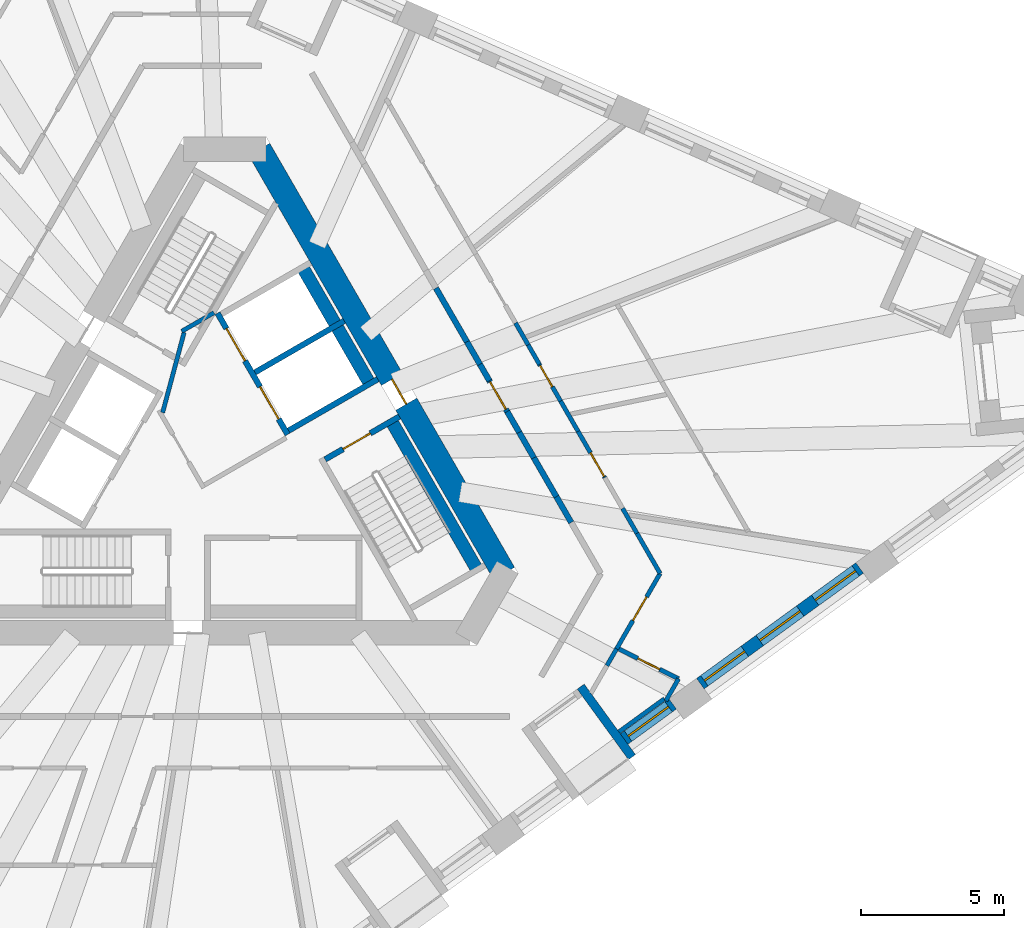
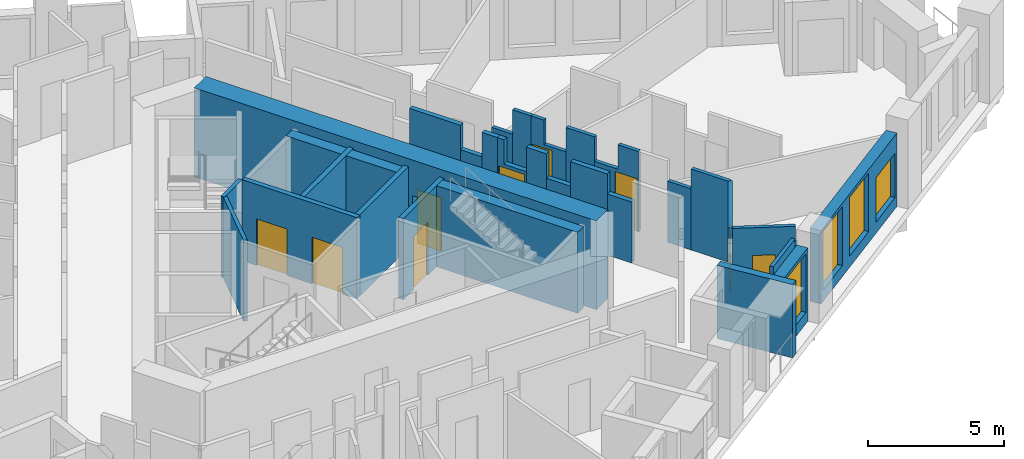
# One storey, part 5 of 14: 32 walls, 9 doors, 4 windows, 13 openings.
"""IFC4 building model written with IfcOpenShell, lengths in metres."""

from ifc_helpers import new_model, si_unit, direction, frame, frame_2d, origin, place, context, subcontext, project, spatial, polyline, rectangle, outline, extrude, material, layer, layer_set, type_object, element, fill, save


model = new_model("IFC4")

# Units and contexts
model_context = context("Model", 3, precision=1e-05, world=origin(), true_north=direction((0.0, 1.0)))
body_context = subcontext(model_context, "Body", "Model", "MODEL_VIEW")
ifc_project = project(units=[si_unit("LENGTHUNIT", "METRE"), si_unit("AREAUNIT", "SQUARE_METRE"), si_unit("VOLUMEUNIT", "CUBIC_METRE"), si_unit("PLANEANGLEUNIT", "RADIAN"), si_unit("MASSUNIT", "GRAM", prefix="KILO")], contexts=[model_context])

# Site, building, storey
site_placement = place(None, origin())
site = spatial("IfcSite", under=ifc_project, at=site_placement, CompositionType="ELEMENT")
building_placement = place(site_placement, origin())
building = spatial("IfcBuilding", under=site, at=building_placement, Name="Tramontana Tower", CompositionType="ELEMENT")
storey_placement = place(building_placement, frame((0.0, 0.0, 170.800048828125)))
storey = spatial("IfcBuildingStorey", under=building, at=storey_placement, Name="L39", CompositionType="ELEMENT", Elevation=170.800048828125)

# Wall, opening, door
ifc_material_1 = material(Name="Concrete 70 MPa", Category="concrete")
ifc_layer_1 = layer(ifc_material_1, 0.85009765625)
ifc_layer_set_1 = layer_set([ifc_layer_1], Name="Core wall 850 70 MPa")
wall_type_1 = type_object("IfcWallType", Name="Core wall 850 70 MPa", PredefinedType="SHEAR", material=ifc_layer_set_1)
wall_1_placement = place(storey_placement, frame((9.757080078125, -4.25, 0.0), z_axis=(0.0, 0.0, 1.0), x_axis=(-0.499995289315, 0.866028123483, 0.0)))
wall_1 = element("IfcWall", 1, at=wall_1_placement, inside=storey, type_object=wall_type_1, Name="Core wall C5 L39", PredefinedType="SHEAR", context=body_context, shape_type="SweptSolid", body=[
    extrude(rectangle(XDim=17.118408203125, YDim=0.85009765625, at=frame_2d((8.55908203125, 0.0))), origin(), (0.0, 0.0, 1.0), 4.0),
])
opening_1_placement = place(wall_1_placement, frame((6.834228515625, 0.0, 0.0)))
opening_1 = element("IfcOpeningElement", 2, at=opening_1_placement, cuts=wall_1, Name="Opening RG3", PredefinedType="OPENING", context=body_context, shape_type="SweptSolid", body=[
    extrude(rectangle(XDim=1.0, YDim=2.39990234375, at=frame_2d((0.5, 1.199951171875))), frame((0.0, 0.43505859375, 0.0), z_axis=(0.0, -1.0, 0.0), x_axis=(1.0, 0.0, 0.0)), (0.0, 0.0, 1.0), 0.8701171875),
])
ifc_material_2 = material(Name="Painted steel", Category="steel")
door_type_1 = type_object("IfcDoorType", Name="RING DOOR 1000", OperationType="SINGLE_SWING_LEFT", PredefinedType="DOOR", material=ifc_material_2)
door_1_placement = place(opening_1_placement, origin())
door_1 = element("IfcDoor", 3, at=door_1_placement, inside=storey, type_object=door_type_1, Name="Door RG3", OperationType="SINGLE_SWING_LEFT", OverallHeight=2.39990234375, OverallWidth=1.0, PredefinedType="DOOR", context=body_context, shape_type="SweptSolid", body=[
    extrude(rectangle(XDim=1.0, YDim=2.39990234375, at=frame_2d((0.5, 1.199951171875))), frame((0.0, 0.02490234375, 0.0), z_axis=(0.0, -1.0, 0.0), x_axis=(1.0, 0.0, 0.0)), (0.0, 0.0, 1.0), 0.050048828125),
])
fill(opening_1, door_1)

# Walls
ifc_material_3 = material(Name="Blockwork", Category="masonry")
ifc_layer_2 = layer(ifc_material_3, 0.199951171875)
ifc_layer_set_2 = layer_set([ifc_layer_2], Name="ENTRY WALL 200")
wall_type_2 = type_object("IfcWallType", Name="ENTRY WALL 200", PredefinedType="SOLIDWALL", material=ifc_layer_set_2)
wall_2_placement = place(storey_placement, frame((7.37548828125, 5.725341796875, 0.0), z_axis=(0.0, 0.0, 1.0), x_axis=(0.499975720793, -0.866039420937, 0.0)))
element("IfcWall", 4, at=wall_2_placement, inside=storey, type_object=wall_type_2, Name="Wall v40-ew0-4", PredefinedType="SOLIDWALL", context=body_context, shape_type="SweptSolid", body=[
    extrude(rectangle(XDim=2.16943359375, YDim=0.199951171875, at=frame_2d((1.084716796875, 0.0))), origin(), (0.0, 0.0, 1.0), 3.64990234375),
])
wall_3_placement = place(storey_placement, frame((8.460205078125, 3.846435546875, 0.0), z_axis=(0.0, 0.0, 1.0), x_axis=(0.499977996243, -0.866038107287, 0.0)))
element("IfcWall", 5, at=wall_3_placement, inside=storey, type_object=wall_type_2, Name="Wall v40-ew0-5", PredefinedType="SOLIDWALL", context=body_context, shape_type="SweptSolid", body=[
    extrude(rectangle(XDim=0.90966796875, YDim=0.199951171875, at=frame_2d((0.454833984375, 0.0))), origin(), (0.0, 0.0, 1.0), 2.550048828125),
])
wall_4_placement = place(storey_placement, frame((8.9150390625, 3.05859375, 0.0), z_axis=(0.0, 0.0, 1.0), x_axis=(0.49988272303, -0.866093103087, 0.0)))
element("IfcWall", 6, at=wall_4_placement, inside=storey, type_object=wall_type_2, Name="Wall v40-ew0-6", PredefinedType="SOLIDWALL", context=body_context, shape_type="SweptSolid", body=[
    extrude(rectangle(XDim=0.659423828125, YDim=0.199951171875, at=frame_2d((0.32958984375, 0.0))), origin(), (0.0, 0.0, 1.0), 3.64990234375),
])

# Wall, opening, door
wall_5_placement = place(storey_placement, frame((9.24462890625, 2.487548828125, 0.0), z_axis=(0.0, 0.0, 1.0), x_axis=(0.500124074208, -0.865953757655, 0.0)))
wall_5 = element("IfcWall", 7, at=wall_5_placement, inside=storey, type_object=wall_type_2, Name="Wall v40-ew0-7", PredefinedType="SOLIDWALL", context=body_context, shape_type="SweptSolid", body=[
    extrude(outline(polyline([(0.0, 0.0), (1.245361328125, 0.0), (1.2451171875, 2.550048828125), (0.291748046875, 2.550048828125), (0.291748046875, 3.64990234375), (0.0, 3.64990234375), (0.0, 0.0)])), frame((0.0, 0.10009765625, 0.0), z_axis=(0.0, -1.0, 0.0), x_axis=(1.0, 0.0, 0.0)), (0.0, 0.0, 1.0), 0.199951171875),
])
opening_2_placement = place(wall_5_placement, frame((0.050048828125, 0.0, 0.0)))
opening_2 = element("IfcOpeningElement", 8, at=opening_2_placement, cuts=wall_5, Name="Opening B4A-24", PredefinedType="OPENING", context=body_context, shape_type="SweptSolid", body=[
    extrude(rectangle(XDim=1.10009765625, YDim=2.39990234375, at=frame_2d((0.550048828125, 1.199951171875))), frame((0.0, 0.10986328125, 0.0), z_axis=(0.0, -1.0, 0.0), x_axis=(1.0, 0.0, 0.0)), (0.0, 0.0, 1.0), 0.219970703125),
])
ifc_material_4 = material(Name="Painted timber", Category="wood")
door_type_2 = type_object("IfcDoorType", Name="DOOR ENTRY 1100", OperationType="SINGLE_SWING_LEFT", PredefinedType="DOOR", material=ifc_material_4)
door_2_placement = place(opening_2_placement, origin())
door_2 = element("IfcDoor", 9, at=door_2_placement, inside=storey, type_object=door_type_2, Name="Door B4A-24", OperationType="SINGLE_SWING_RIGHT", OverallHeight=2.39990234375, OverallWidth=1.10009765625, PredefinedType="DOOR", context=body_context, shape_type="SweptSolid", body=[
    extrude(rectangle(XDim=1.10009765625, YDim=2.39990234375, at=frame_2d((0.550048828125, 1.199951171875))), frame((0.0, 0.02490234375, 0.0), z_axis=(0.0, -1.0, 0.0), x_axis=(1.0, 0.0, 0.0)), (0.0, 0.0, 1.0), 0.050048828125),
])
fill(opening_2, door_2)

# Walls
wall_6_placement = place(storey_placement, frame((9.867431640625, 1.4091796875, 0.0), z_axis=(0.0, 0.0, 1.0), x_axis=(0.499822960955, -0.8661275932, 0.0)))
element("IfcWall", 10, at=wall_6_placement, inside=storey, type_object=wall_type_2, Name="Wall v40-ew0-8", PredefinedType="SOLIDWALL", context=body_context, shape_type="SweptSolid", body=[
    extrude(rectangle(XDim=0.841064453125, YDim=0.199951171875, at=frame_2d((0.42041015625, 0.0))), origin(), (0.0, 0.0, 1.0), 3.64990234375),
])
wall_7_placement = place(storey_placement, frame((10.287841796875, 0.6806640625, 0.0), z_axis=(0.0, 0.0, 1.0), x_axis=(0.500079402778, -0.865979555715, 0.0)))
element("IfcWall", 11, at=wall_7_placement, inside=storey, type_object=wall_type_2, Name="Wall v40-ew0-9", PredefinedType="SOLIDWALL", context=body_context, shape_type="SweptSolid", body=[
    extrude(rectangle(XDim=1.026123046875, YDim=0.199951171875, at=frame_2d((0.51318359375, 0.0))), origin(), (0.0, 0.0, 1.0), 2.550048828125),
])
wall_8_placement = place(storey_placement, frame((10.801025390625, -0.2080078125, 0.0), z_axis=(0.0, 0.0, 1.0), x_axis=(0.500031717574, -0.86600709086, 0.0)))
element("IfcWall", 12, at=wall_8_placement, inside=storey, type_object=wall_type_2, Name="Wall v40-ew0-10", PredefinedType="SOLIDWALL", context=body_context, shape_type="SweptSolid", body=[
    extrude(rectangle(XDim=1.57177734375, YDim=0.199951171875, at=frame_2d((0.785888671875, 0.0))), origin(), (0.0, 0.0, 1.0), 3.64990234375),
])
wall_9_placement = place(storey_placement, frame((11.5869140625, -1.569091796875, 0.0), z_axis=(0.0, 0.0, 1.0), x_axis=(0.500054530113, -0.86599391852, 0.0)))
element("IfcWall", 13, at=wall_9_placement, inside=storey, type_object=wall_type_2, Name="Wall v40-ew0-11", PredefinedType="SOLIDWALL", context=body_context, shape_type="SweptSolid", body=[
    extrude(rectangle(XDim=1.03955078125, YDim=0.199951171875, at=frame_2d((0.519775390625, 0.0))), origin(), (0.0, 0.0, 1.0), 2.75),
])

# Wall, opening, window
ifc_material_5 = material(Name="Precast concrete 60 MPa", Category="concrete")
ifc_layer_3 = layer(ifc_material_5, 0.449951171875)
ifc_layer_set_3 = layer_set([ifc_layer_3], Name="Precast concrete 60 MPa, 450 mm")
wall_type_3 = type_object("IfcWallType", Name="EW1 Stone-faced precast wall 450", PredefinedType="SOLIDWALL", material=ifc_layer_set_3)
wall_10_placement = place(storey_placement, frame((13.955078125, -10.039794921875, 0.0), z_axis=(0.0, 0.0, 1.0), x_axis=(0.809028366311, 0.587769599847, 0.0)))
wall_10 = element("IfcWall", 14, at=wall_10_placement, inside=storey, type_object=wall_type_3, Name="External wall L39 face 1 bay 4", PredefinedType="SOLIDWALL", context=body_context, shape_type="SweptSolid", body=[
    extrude(rectangle(XDim=2.09423828125, YDim=0.449951171875, at=frame_2d((1.047119140625, 0.0))), origin(), (0.0, 0.0, 1.0), 3.300048828125),
])
opening_3_placement = place(wall_10_placement, frame((0.172119140625, 0.0, 0.5)))
opening_3 = element("IfcOpeningElement", 15, at=opening_3_placement, cuts=wall_10, Name="Opening M2", PredefinedType="OPENING", context=body_context, shape_type="SweptSolid", body=[
    extrude(rectangle(XDim=1.75, YDim=2.64990234375, at=frame_2d((0.875, 1.324951171875))), frame((0.0, 0.23486328125, 0.0), z_axis=(0.0, -1.0, 0.0), x_axis=(1.0, 0.0, 0.0)), (0.0, 0.0, 1.0), 0.469970703125),
])
ifc_material_6 = material(Name="Aluminum frame, double glazing unit", Category="aluminium")
window_type_1 = type_object("IfcWindowType", Name="M2 Window 1.75 x 2.65", PartitioningType="SINGLE_PANEL", PredefinedType="WINDOW", material=ifc_material_6)
window_1_placement = place(opening_3_placement, origin())
window_1 = element("IfcWindow", 16, at=window_1_placement, inside=storey, type_object=window_type_1, Name="Window M2 L39 face 1 module 12", OverallHeight=2.64990234375, OverallWidth=1.75, PartitioningType="SINGLE_PANEL", PredefinedType="WINDOW", context=body_context, shape_type="SweptSolid", body=[
    extrude(rectangle(XDim=1.75, YDim=2.64990234375, at=frame_2d((0.875, 1.324951171875))), frame((0.0, 0.030029296875, 0.0), z_axis=(0.0, -1.0, 0.0), x_axis=(1.0, 0.0, 0.0)), (0.0, 0.0, 1.0), 0.06005859375),
])
fill(opening_3, window_1)

# Wall, openings, windows
wall_11_placement = place(storey_placement, frame((16.6201171875, -8.103515625, 0.0), z_axis=(0.0, 0.0, 1.0), x_axis=(0.809016690404, 0.587785670672, 0.0)))
wall_11 = element("IfcWall", 17, at=wall_11_placement, inside=storey, type_object=wall_type_3, Name="External wall L39 face 1 bay 5", PredefinedType="SOLIDWALL", context=body_context, shape_type="SweptSolid", body=[
    extrude(rectangle(XDim=6.8828125, YDim=0.449951171875, at=frame_2d((3.44140625, 0.0))), origin(), (0.0, 0.0, 1.0), 3.300048828125),
])
opening_4_placement = place(wall_11_placement, frame((0.172119140625, 0.0, 0.5)))
opening_4 = element("IfcOpeningElement", 18, at=opening_4_placement, cuts=wall_11, Name="Opening M2", PredefinedType="OPENING", context=body_context, shape_type="SweptSolid", body=[
    extrude(rectangle(XDim=1.75, YDim=2.64990234375, at=frame_2d((0.875, 1.324951171875))), frame((0.0, 0.23486328125, 0.0), z_axis=(0.0, -1.0, 0.0), x_axis=(1.0, 0.0, 0.0)), (0.0, 0.0, 1.0), 0.469970703125),
])
opening_5_placement = place(wall_11_placement, frame((2.56640625, 0.0, 0.5)))
opening_5 = element("IfcOpeningElement", 19, at=opening_5_placement, cuts=wall_11, Name="Opening M2", PredefinedType="OPENING", context=body_context, shape_type="SweptSolid", body=[
    extrude(rectangle(XDim=1.75, YDim=2.64990234375, at=frame_2d((0.875, 1.324951171875))), frame((0.0, 0.23486328125, 0.0), z_axis=(0.0, -1.0, 0.0), x_axis=(1.0, 0.0, 0.0)), (0.0, 0.0, 1.0), 0.469970703125),
])
opening_6_placement = place(wall_11_placement, frame((4.960693359375, 0.0, 0.5)))
opening_6 = element("IfcOpeningElement", 20, at=opening_6_placement, cuts=wall_11, Name="Opening M2L", PredefinedType="OPENING", context=body_context, shape_type="SweptSolid", body=[
    extrude(rectangle(XDim=1.75, YDim=2.0, at=frame_2d((0.875, 1.0))), frame((0.0, 0.23486328125, 0.0), z_axis=(0.0, -1.0, 0.0), x_axis=(1.0, 0.0, 0.0)), (0.0, 0.0, 1.0), 0.469970703125),
])
window_2_placement = place(opening_4_placement, origin())
window_2 = element("IfcWindow", 21, at=window_2_placement, inside=storey, type_object=window_type_1, Name="Window M2 L39 face 1 module 13", OverallHeight=2.64990234375, OverallWidth=1.75, PartitioningType="SINGLE_PANEL", PredefinedType="WINDOW", context=body_context, shape_type="SweptSolid", body=[
    extrude(rectangle(XDim=1.75, YDim=2.64990234375, at=frame_2d((0.875, 1.324951171875))), frame((0.0, 0.030029296875, 0.0), z_axis=(0.0, -1.0, 0.0), x_axis=(1.0, 0.0, 0.0)), (0.0, 0.0, 1.0), 0.06005859375),
])
fill(opening_4, window_2)
window_3_placement = place(opening_5_placement, origin())
window_3 = element("IfcWindow", 22, at=window_3_placement, inside=storey, type_object=window_type_1, Name="Window M2 L39 face 1 module 14", OverallHeight=2.64990234375, OverallWidth=1.75, PartitioningType="SINGLE_PANEL", PredefinedType="WINDOW", context=body_context, shape_type="SweptSolid", body=[
    extrude(rectangle(XDim=1.75, YDim=2.64990234375, at=frame_2d((0.875, 1.324951171875))), frame((0.0, 0.030029296875, 0.0), z_axis=(0.0, -1.0, 0.0), x_axis=(1.0, 0.0, 0.0)), (0.0, 0.0, 1.0), 0.06005859375),
])
fill(opening_5, window_3)
ifc_material_7 = material(Name="Aluminum frame, double glazing unit", Category="aluminium")
window_type_2 = type_object("IfcWindowType", Name="M2L Window 1.75 x 2", PartitioningType="SINGLE_PANEL", PredefinedType="WINDOW", material=ifc_material_7)
window_4_placement = place(opening_6_placement, origin())
window_4 = element("IfcWindow", 23, at=window_4_placement, inside=storey, type_object=window_type_2, Name="Window M2L L39 face 1 module 15", OverallHeight=2.0, OverallWidth=1.75, PartitioningType="SINGLE_PANEL", PredefinedType="WINDOW", context=body_context, shape_type="SweptSolid", body=[
    extrude(rectangle(XDim=1.75, YDim=2.0, at=frame_2d((0.875, 1.0))), frame((0.0, 0.030029296875, 0.0), z_axis=(0.0, -1.0, 0.0), x_axis=(1.0, 0.0, 0.0)), (0.0, 0.0, 1.0), 0.06005859375),
])
fill(opening_6, window_4)

# Walls
ifc_material_8 = material(Name="Precast concrete 60 MPa", Category="concrete")
ifc_layer_4 = layer(ifc_material_8, 0.300048828125)
ifc_layer_set_4 = layer_set([ifc_layer_4], Name="LW1 Stone-faced loggia wall 300")
wall_type_4 = type_object("IfcWallType", Name="LW1 Stone-faced loggia wall 300", PredefinedType="SOLIDWALL", material=ifc_layer_set_4)
wall_12_placement = place(storey_placement, frame((14.23046875, -10.674072265625, 0.0), z_axis=(0.0, 0.0, 1.0), x_axis=(-0.587776590479, 0.80902328748, 0.0)))
element("IfcWall", 24, at=wall_12_placement, inside=storey, type_object=wall_type_4, Name="Loggia return L39 G4S1.10b", PredefinedType="SOLIDWALL", context=body_context, shape_type="SweptSolid", body=[
    extrude(rectangle(XDim=3.050048828125, YDim=0.300048828125, at=frame_2d((1.52490234375, 0.0))), origin(), (0.0, 0.0, 1.0), 3.300048828125),
])
ifc_material_9 = material(Name="Gypsum board partition")
ifc_layer_5 = layer(ifc_material_9, 0.14990234375)
ifc_layer_set_5 = layer_set([ifc_layer_5], Name="PARTITION 150")
wall_type_5 = type_object("IfcWallType", Name="PARTITION 150", PredefinedType="PARTITIONING", material=ifc_layer_set_5)
wall_13_placement = place(storey_placement, frame((-2.177978515625, 1.372314453125, 0.0), z_axis=(0.0, 0.0, 1.0), x_axis=(0.258808958833, 0.96592852884, 0.0)))
element("IfcWall", 25, at=wall_13_placement, inside=storey, type_object=wall_type_5, Name="Wall ff-diag", PredefinedType="PARTITIONING", context=body_context, shape_type="SweptSolid", body=[
    extrude(rectangle(XDim=2.902587890625, YDim=0.14990234375, at=frame_2d((1.451171875, 0.0))), origin(), (0.0, 0.0, 1.0), 3.64990234375),
])
wall_14_placement = place(storey_placement, frame((-1.509765625, 4.21484375, 0.0), z_axis=(0.0, 0.0, 1.0), x_axis=(0.866085525409, 0.49989585183, 0.0)))
element("IfcWall", 26, at=wall_14_placement, inside=storey, type_object=wall_type_5, Name="Wall ff-end1", PredefinedType="PARTITIONING", context=body_context, shape_type="SweptSolid", body=[
    extrude(rectangle(XDim=1.300048828125, YDim=0.14990234375, at=frame_2d((0.64990234375, 0.0))), origin(), (0.0, 0.0, 1.0), 3.64990234375),
])
wall_15_placement = place(storey_placement, frame((10.1572265625, 4.50732421875, 0.0), z_axis=(0.0, 0.0, 1.0), x_axis=(0.499969398072, -0.866043071095, 0.0)))
element("IfcWall", 27, at=wall_15_placement, inside=storey, type_object=wall_type_5, Name="Wall v40-pw24-4", PredefinedType="PARTITIONING", context=body_context, shape_type="SweptSolid", body=[
    extrude(rectangle(XDim=0.88427734375, YDim=0.14990234375, at=frame_2d((0.442138671875, 0.0))), origin(), (0.0, 0.0, 1.0), 2.550048828125),
])
wall_16_placement = place(storey_placement, frame((10.599365234375, 3.741455078125, 0.0), z_axis=(0.0, 0.0, 1.0), x_axis=(0.499865263774, -0.866103179807, 0.0)))
element("IfcWall", 28, at=wall_16_placement, inside=storey, type_object=wall_type_5, Name="Wall v40-pw24-5", PredefinedType="PARTITIONING", context=body_context, shape_type="SweptSolid", body=[
    extrude(rectangle(XDim=0.789306640625, YDim=0.14990234375, at=frame_2d((0.39453125, 0.0))), origin(), (0.0, 0.0, 1.0), 3.64990234375),
])

# Wall, opening, door
wall_17_placement = place(storey_placement, frame((10.993896484375, 3.057861328125, 0.0), z_axis=(0.0, 0.0, 1.0), x_axis=(0.500022136814, -0.866012622712, 0.0)))
wall_17 = element("IfcWall", 29, at=wall_17_placement, inside=storey, type_object=wall_type_5, Name="Wall v40-pw24-6", PredefinedType="PARTITIONING", context=body_context, shape_type="SweptSolid", body=[
    extrude(outline(polyline([(0.0, 0.0), (1.48095703125, 0.0), (1.48095703125, 2.550048828125), (0.553955078125, 2.550048828125), (0.553955078125, 3.64990234375), (0.0, 3.64990234375), (0.0, 0.0)])), frame((0.0, 0.074951171875, 0.0), z_axis=(0.0, -1.0, 0.0), x_axis=(1.0, 0.0, 0.0)), (0.0, 0.0, 1.0), 0.14990234375),
])
opening_7_placement = place(wall_17_placement, frame((0.050048828125, 0.0, 0.0)))
opening_7 = element("IfcOpeningElement", 30, at=opening_7_placement, cuts=wall_17, Name="Opening B4A-16", PredefinedType="OPENING", context=body_context, shape_type="SweptSolid", body=[
    extrude(rectangle(XDim=0.85009765625, YDim=2.39990234375, at=frame_2d((0.425048828125, 1.199951171875))), frame((0.0, 0.0849609375, 0.0), z_axis=(0.0, -1.0, 0.0), x_axis=(1.0, 0.0, 0.0)), (0.0, 0.0, 1.0), 0.169921875),
])
ifc_material_10 = material(Name="Painted timber", Category="wood")
door_type_3 = type_object("IfcDoorType", Name="DOOR BATH 850", OperationType="SINGLE_SWING_LEFT", PredefinedType="DOOR", material=ifc_material_10)
door_3_placement = place(opening_7_placement, origin())
door_3 = element("IfcDoor", 31, at=door_3_placement, inside=storey, type_object=door_type_3, Name="Door B4A-16", OperationType="SINGLE_SWING_RIGHT", OverallHeight=2.39990234375, OverallWidth=0.85009765625, PredefinedType="DOOR", context=body_context, shape_type="SweptSolid", body=[
    extrude(rectangle(XDim=0.85009765625, YDim=2.39990234375, at=frame_2d((0.425048828125, 1.199951171875))), frame((0.0, 0.02490234375, 0.0), z_axis=(0.0, -1.0, 0.0), x_axis=(1.0, 0.0, 0.0)), (0.0, 0.0, 1.0), 0.050048828125),
])
fill(opening_7, door_3)

# Wall
wall_18_placement = place(storey_placement, frame((11.734375, 1.775390625, 0.0), z_axis=(0.0, 0.0, 1.0), x_axis=(0.499975448907, -0.8660395779, 0.0)))
element("IfcWall", 32, at=wall_18_placement, inside=storey, type_object=wall_type_5, Name="Wall v40-pw24-7", PredefinedType="PARTITIONING", context=body_context, shape_type="SweptSolid", body=[
    extrude(rectangle(XDim=1.22509765625, YDim=0.14990234375, at=frame_2d((0.612548828125, 0.0))), origin(), (0.0, 0.0, 1.0), 3.64990234375),
])

# Wall, opening, door
wall_19_placement = place(storey_placement, frame((12.346923828125, 0.71435546875, 0.0), z_axis=(0.0, 0.0, 1.0), x_axis=(0.499998297855, -0.866026386516, 0.0)))
wall_19 = element("IfcWall", 33, at=wall_19_placement, inside=storey, type_object=wall_type_5, Name="Wall v40-pw24-8", PredefinedType="PARTITIONING", context=body_context, shape_type="SweptSolid", body=[
    extrude(outline(polyline([(0.0, 0.0), (1.8642578125, 0.0), (1.864501953125, 3.64990234375), (0.997802734375, 3.64990234375), (0.997802734375, 2.550048828125), (0.0, 2.550048828125), (0.0, 0.0)])), frame((0.0, 0.074951171875, 0.0), z_axis=(0.0, -1.0, 0.0), x_axis=(1.0, 0.0, 0.0)), (0.0, 0.0, 1.0), 0.14990234375),
])
opening_8_placement = place(wall_19_placement, frame((0.864501953125, 0.0, 0.0)))
opening_8 = element("IfcOpeningElement", 34, at=opening_8_placement, cuts=wall_19, Name="Opening B4A-15", PredefinedType="OPENING", context=body_context, shape_type="SweptSolid", body=[
    extrude(rectangle(XDim=0.949951171875, YDim=2.39990234375, at=frame_2d((0.47509765625, 1.199951171875))), frame((0.0, 0.0849609375, 0.0), z_axis=(0.0, -1.0, 0.0), x_axis=(1.0, 0.0, 0.0)), (0.0, 0.0, 1.0), 0.169921875),
])
ifc_material_11 = material(Name="Painted timber", Category="wood")
door_type_4 = type_object("IfcDoorType", Name="DOOR ROOM 950", OperationType="SINGLE_SWING_LEFT", PredefinedType="DOOR", material=ifc_material_11)
door_4_placement = place(opening_8_placement, origin())
door_4 = element("IfcDoor", 35, at=door_4_placement, inside=storey, type_object=door_type_4, Name="Door B4A-15", OperationType="SINGLE_SWING_LEFT", OverallHeight=2.39990234375, OverallWidth=0.949951171875, PredefinedType="DOOR", context=body_context, shape_type="SweptSolid", body=[
    extrude(rectangle(XDim=0.949951171875, YDim=2.39990234375, at=frame_2d((0.47509765625, 1.199951171875))), frame((0.0, 0.02490234375, 0.0), z_axis=(0.0, -1.0, 0.0), x_axis=(1.0, 0.0, 0.0)), (0.0, 0.0, 1.0), 0.050048828125),
])
fill(opening_8, door_4)

# Walls
wall_20_placement = place(storey_placement, frame((13.900390625, -1.97607421875, 0.0), z_axis=(0.0, 0.0, 1.0), x_axis=(0.499946326053, -0.866056390234, 0.0)))
element("IfcWall", 36, at=wall_20_placement, inside=storey, type_object=wall_type_5, Name="Wall v40-pw24-10", PredefinedType="PARTITIONING", context=body_context, shape_type="SweptSolid", body=[
    extrude(rectangle(XDim=1.0068359375, YDim=0.14990234375, at=frame_2d((0.50341796875, 0.0))), origin(), (0.0, 0.0, 1.0), 2.75),
])
wall_21_placement = place(storey_placement, frame((14.40380859375, -2.84814453125, 0.0), z_axis=(0.0, 0.0, 1.0), x_axis=(0.499983569942, -0.866034889475, 0.0)))
element("IfcWall", 37, at=wall_21_placement, inside=storey, type_object=wall_type_5, Name="Wall v40-pw24-11", PredefinedType="PARTITIONING", context=body_context, shape_type="SweptSolid", body=[
    extrude(rectangle(XDim=1.61865234375, YDim=0.14990234375, at=frame_2d((0.809326171875, 0.0))), origin(), (0.0, 0.0, 1.0), 3.64990234375),
])

# Wall, opening, door
wall_22_placement = place(storey_placement, frame((15.85791015625, -7.93310546875, 0.0), z_axis=(0.0, 0.0, 1.0), x_axis=(-0.894343317487, 0.447381303215, 0.0)))
wall_22 = element("IfcWall", 38, at=wall_22_placement, inside=storey, type_object=wall_type_5, Name="Wall v40-pw32", PredefinedType="PARTITIONING", context=body_context, shape_type="SweptSolid", body=[
    extrude(rectangle(XDim=2.3291015625, YDim=0.14990234375, at=frame_2d((1.16455078125, 0.0))), origin(), (0.0, 0.0, 1.0), 3.64990234375),
])
opening_9_placement = place(wall_22_placement, frame((0.739501953125, 0.0, 0.0)))
opening_9 = element("IfcOpeningElement", 39, at=opening_9_placement, cuts=wall_22, Name="Opening B4A-20", PredefinedType="OPENING", context=body_context, shape_type="SweptSolid", body=[
    extrude(rectangle(XDim=0.85009765625, YDim=2.39990234375, at=frame_2d((0.425048828125, 1.199951171875))), frame((0.0, 0.0849609375, 0.0), z_axis=(0.0, -1.0, 0.0), x_axis=(1.0, 0.0, 0.0)), (0.0, 0.0, 1.0), 0.169921875),
])
door_5_placement = place(opening_9_placement, origin())
door_5 = element("IfcDoor", 40, at=door_5_placement, inside=storey, type_object=door_type_3, Name="Door B4A-20", OperationType="SINGLE_SWING_RIGHT", OverallHeight=2.39990234375, OverallWidth=0.85009765625, PredefinedType="DOOR", context=body_context, shape_type="SweptSolid", body=[
    extrude(rectangle(XDim=0.85009765625, YDim=2.39990234375, at=frame_2d((0.425048828125, 1.199951171875))), frame((0.0, 0.02490234375, 0.0), z_axis=(0.0, -1.0, 0.0), x_axis=(1.0, 0.0, 0.0)), (0.0, 0.0, 1.0), 0.050048828125),
])
fill(opening_9, door_5)

wall_23_placement = place(storey_placement, frame((15.213134765625, -4.25, 0.0), z_axis=(0.0, 0.0, 1.0), x_axis=(-0.500018497585, -0.866014723935, 0.0)))
wall_23 = element("IfcWall", 41, at=wall_23_placement, inside=storey, type_object=wall_type_5, Name="Wall v40-pw33-0", PredefinedType="PARTITIONING", context=body_context, shape_type="SweptSolid", body=[
    extrude(rectangle(XDim=3.0458984375, YDim=0.14990234375, at=frame_2d((1.52294921875, 0.0))), origin(), (0.0, 0.0, 1.0), 3.64990234375),
])
opening_10_placement = place(wall_23_placement, frame((0.9501953125, 0.0, 0.0)))
opening_10 = element("IfcOpeningElement", 42, at=opening_10_placement, cuts=wall_23, Name="Opening B4A-17", PredefinedType="OPENING", context=body_context, shape_type="SweptSolid", body=[
    extrude(rectangle(XDim=0.949951171875, YDim=2.39990234375, at=frame_2d((0.47509765625, 1.199951171875))), frame((0.0, 0.0849609375, 0.0), z_axis=(0.0, -1.0, 0.0), x_axis=(1.0, 0.0, 0.0)), (0.0, 0.0, 1.0), 0.169921875),
])
door_6_placement = place(opening_10_placement, origin())
door_6 = element("IfcDoor", 43, at=door_6_placement, inside=storey, type_object=door_type_4, Name="Door B4A-17", OperationType="SINGLE_SWING_LEFT", OverallHeight=2.39990234375, OverallWidth=0.949951171875, PredefinedType="DOOR", context=body_context, shape_type="SweptSolid", body=[
    extrude(rectangle(XDim=0.949951171875, YDim=2.39990234375, at=frame_2d((0.47509765625, 1.199951171875))), frame((0.0, 0.02490234375, 0.0), z_axis=(0.0, -1.0, 0.0), x_axis=(1.0, 0.0, 0.0)), (0.0, 0.0, 1.0), 0.050048828125),
])
fill(opening_10, door_6)

# Walls
wall_24_placement = place(storey_placement, frame((13.690185546875, -6.8876953125, 0.0), z_axis=(0.0, 0.0, 1.0), x_axis=(-0.499910196476, -0.866077245666, 0.0)))
element("IfcWall", 44, at=wall_24_placement, inside=storey, type_object=wall_type_5, Name="Wall v40-pw33-1", PredefinedType="PARTITIONING", context=body_context, shape_type="SweptSolid", body=[
    extrude(rectangle(XDim=0.67529296875, YDim=0.14990234375, at=frame_2d((0.337646484375, 0.0))), origin(), (0.0, 0.0, 1.0), 2.949951171875),
])
wall_25_placement = place(storey_placement, frame((15.364501953125, -8.6328125, 0.0), z_axis=(0.0, 0.0, 1.0), x_axis=(-0.809036512602, -0.58775838682, 0.0)))
element("IfcWall", 45, at=wall_25_placement, inside=storey, type_object=wall_type_5, Name="Wall v40-pw34", PredefinedType="PARTITIONING", context=body_context, shape_type="SweptSolid", body=[
    extrude(rectangle(XDim=1.96728515625, YDim=0.14990234375, at=frame_2d((0.983642578125, 0.0))), origin(), (0.0, 0.0, 1.0), 3.64990234375),
])
wall_26_placement = place(storey_placement, frame((15.85791015625, -7.93310546875, 0.0), z_axis=(0.0, 0.0, 1.0), x_axis=(-0.500016243463, -0.866016025414, 0.0)))
element("IfcWall", 46, at=wall_26_placement, inside=storey, type_object=wall_type_5, Name="Wall v40-pw35-0", PredefinedType="PARTITIONING", context=body_context, shape_type="SweptSolid", body=[
    extrude(rectangle(XDim=0.88720703125, YDim=0.14990234375, at=frame_2d((0.443603515625, 0.0))), origin(), (0.0, 0.0, 1.0), 2.949951171875),
])
ifc_material_12 = material(Name="Concrete 70 MPa", Category="concrete")
ifc_layer_6 = layer(ifc_material_12, 0.449951171875)
ifc_layer_set_6 = layer_set([ifc_layer_6], Name="Concrete 70 MPa, 450 mm")
wall_type_6 = type_object("IfcWallType", Name="RC SHAFT BACK WALL 450", PredefinedType="SOLIDWALL", material=ifc_layer_set_6)
wall_27_placement = place(storey_placement, frame((8.8681640625, -4.2099609375, 0.0), z_axis=(0.0, 0.0, 1.0), x_axis=(-0.500009909098, 0.866019682689, 0.0)))
element("IfcWall", 47, at=wall_27_placement, inside=storey, type_object=wall_type_6, Name="Wall st3-back", PredefinedType="SOLIDWALL", context=body_context, shape_type="SweptSolid", body=[
    extrude(rectangle(XDim=6.199951171875, YDim=0.449951171875, at=frame_2d((3.10009765625, 0.0))), origin(), (0.0, 0.0, 1.0), 3.64990234375),
])
wall_28_placement = place(storey_placement, frame((5.113037109375, 2.2939453125, 0.0), z_axis=(0.0, 0.0, 1.0), x_axis=(-0.500002801628, 0.866023786258, 0.0)))
element("IfcWall", 48, at=wall_28_placement, inside=storey, type_object=wall_type_6, Name="Wall row2-back", PredefinedType="SOLIDWALL", context=body_context, shape_type="SweptSolid", body=[
    extrude(rectangle(XDim=4.89990234375, YDim=0.449951171875, at=frame_2d((2.449951171875, 0.0))), origin(), (0.0, 0.0, 1.0), 3.64990234375),
])

# Wall, opening, door
ifc_material_13 = material(Name="Concrete 70 MPa", Category="concrete")
ifc_layer_7 = layer(ifc_material_13, 0.199951171875)
ifc_layer_set_7 = layer_set([ifc_layer_7], Name="Concrete 70 MPa, 200 mm")
wall_type_7 = type_object("IfcWallType", Name="RC STAIR AND SHAFT WALL 200", PredefinedType="SOLIDWALL", material=ifc_layer_set_7)
wall_29_placement = place(storey_placement, frame((3.50146484375, -0.2646484375, 0.0), z_axis=(0.0, 0.0, 1.0), x_axis=(0.866031096941, 0.499990139034, 0.0)))
wall_29 = element("IfcWall", 49, at=wall_29_placement, inside=storey, type_object=wall_type_7, Name="Wall st3-near", PredefinedType="SOLIDWALL", context=body_context, shape_type="SweptSolid", body=[
    extrude(rectangle(XDim=3.0, YDim=0.199951171875, at=frame_2d((1.5, 0.0))), origin(), (0.0, 0.0, 1.0), 3.64990234375),
])
opening_11_placement = place(wall_29_placement, frame((0.72509765625, 0.0, 0.0)))
opening_11 = element("IfcOpeningElement", 50, at=opening_11_placement, cuts=wall_29, Name="Opening SD3", PredefinedType="OPENING", context=body_context, shape_type="SweptSolid", body=[
    extrude(rectangle(XDim=1.10009765625, YDim=2.39990234375, at=frame_2d((0.550048828125, 1.199951171875))), frame((0.0, 0.10986328125, 0.0), z_axis=(0.0, -1.0, 0.0), x_axis=(1.0, 0.0, 0.0)), (0.0, 0.0, 1.0), 0.219970703125),
])
ifc_material_14 = material(Name="Painted steel", Category="steel")
door_type_5 = type_object("IfcDoorType", Name="STAIR DOOR 1100", OperationType="SINGLE_SWING_LEFT", PredefinedType="DOOR", material=ifc_material_14)
door_7_placement = place(opening_11_placement, origin())
door_7 = element("IfcDoor", 51, at=door_7_placement, inside=storey, type_object=door_type_5, Name="Door SD3", OperationType="SINGLE_SWING_RIGHT", OverallHeight=2.39990234375, OverallWidth=1.10009765625, PredefinedType="DOOR", context=body_context, shape_type="SweptSolid", body=[
    extrude(rectangle(XDim=1.10009765625, YDim=2.39990234375, at=frame_2d((0.550048828125, 1.199951171875))), frame((0.0, 0.02490234375, 0.0), z_axis=(0.0, -1.0, 0.0), x_axis=(1.0, 0.0, 0.0)), (0.0, 0.0, 1.0), 0.050048828125),
])
fill(opening_11, door_7)

# Wall, openings, doors
wall_30_placement = place(storey_placement, frame((2.190185546875, 0.6064453125, 0.0), z_axis=(0.0, 0.0, 1.0), x_axis=(-0.500002801628, 0.866023786258, 0.0)))
wall_30 = element("IfcWall", 52, at=wall_30_placement, inside=storey, type_object=wall_type_7, Name="Wall row2-front", PredefinedType="SOLIDWALL", context=body_context, shape_type="SweptSolid", body=[
    extrude(rectangle(XDim=4.89990234375, YDim=0.199951171875, at=frame_2d((2.449951171875, 0.0))), origin(), (0.0, 0.0, 1.0), 3.64990234375),
])
opening_12_placement = place(wall_30_placement, frame((0.625, 0.0, 0.0)))
opening_12 = element("IfcOpeningElement", 53, at=opening_12_placement, cuts=wall_30, Name="Opening LD-F1", PredefinedType="OPENING", context=body_context, shape_type="SweptSolid", body=[
    extrude(rectangle(XDim=1.300048828125, YDim=2.10009765625, at=frame_2d((0.64990234375, 1.050048828125))), frame((0.0, 0.10986328125, 0.0), z_axis=(0.0, -1.0, 0.0), x_axis=(1.0, 0.0, 0.0)), (0.0, 0.0, 1.0), 0.219970703125),
])
opening_13_placement = place(wall_30_placement, frame((2.97509765625, 0.0, 0.0)))
opening_13 = element("IfcOpeningElement", 54, at=opening_13_placement, cuts=wall_30, Name="Opening LD-F2", PredefinedType="OPENING", context=body_context, shape_type="SweptSolid", body=[
    extrude(rectangle(XDim=1.300048828125, YDim=2.10009765625, at=frame_2d((0.64990234375, 1.050048828125))), frame((0.0, 0.10986328125, 0.0), z_axis=(0.0, -1.0, 0.0), x_axis=(1.0, 0.0, 0.0)), (0.0, 0.0, 1.0), 0.219970703125),
])
ifc_material_15 = material(Name="Brushed steel", Category="steel")
door_type_6 = type_object("IfcDoorType", Name="LANDING DOOR 1300", OperationType="SINGLE_SWING_LEFT", PredefinedType="DOOR", material=ifc_material_15)
door_8_placement = place(opening_12_placement, origin())
door_8 = element("IfcDoor", 55, at=door_8_placement, inside=storey, type_object=door_type_6, Name="Door LD-F1", OperationType="SLIDING_TO_RIGHT", OverallHeight=2.10009765625, OverallWidth=1.300048828125, PredefinedType="DOOR", context=body_context, shape_type="SweptSolid", body=[
    extrude(rectangle(XDim=1.300048828125, YDim=2.10009765625, at=frame_2d((0.64990234375, 1.050048828125))), frame((0.0, 0.02490234375, 0.0), z_axis=(0.0, -1.0, 0.0), x_axis=(1.0, 0.0, 0.0)), (0.0, 0.0, 1.0), 0.050048828125),
])
fill(opening_12, door_8)
door_9_placement = place(opening_13_placement, origin())
door_9 = element("IfcDoor", 56, at=door_9_placement, inside=storey, type_object=door_type_6, Name="Door LD-F2", OperationType="SLIDING_TO_LEFT", OverallHeight=2.10009765625, OverallWidth=1.300048828125, PredefinedType="DOOR", context=body_context, shape_type="SweptSolid", body=[
    extrude(rectangle(XDim=1.300048828125, YDim=2.10009765625, at=frame_2d((0.64990234375, 1.050048828125))), frame((0.0, 0.02490234375, 0.0), z_axis=(0.0, -1.0, 0.0), x_axis=(1.0, 0.0, 0.0)), (0.0, 0.0, 1.0), 0.050048828125),
])
fill(opening_13, door_9)

# Walls
for number, where, z_axis, x_axis, name in (
    (57, (2.226806640625, 0.742919921875, 0.0), (0.0, 0.0, 1.0), (0.866018442252, 0.500012057535, 0.0), "Wall row2-side0"),
    (58, (1.0517578125, 2.778076171875, 0.0), (0.0, 0.0, 1.0), (0.866018442252, 0.500012057535, 0.0), "Wall row2-side1"),
):
    element("IfcWall", number, at=place(storey_placement, frame(where, z_axis=z_axis, x_axis=x_axis)), inside=storey, type_object=wall_type_7, Name=name, PredefinedType="SOLIDWALL", context=body_context, shape_type="SweptSolid", body=[
        extrude(rectangle(XDim=3.60009765625, YDim=0.199951171875, at=frame_2d((1.800048828125, 0.0))), origin(), (0.0, 0.0, 1.0), 3.64990234375),
    ])

save(model, "model.ifc")
